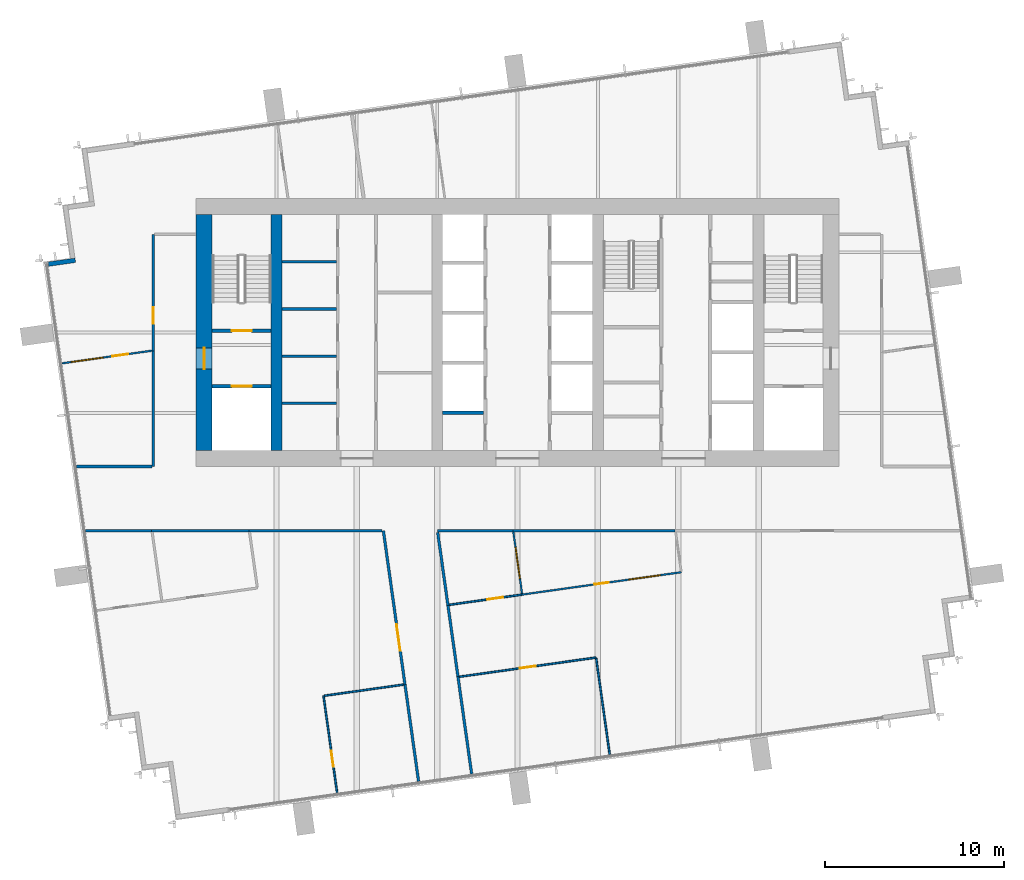
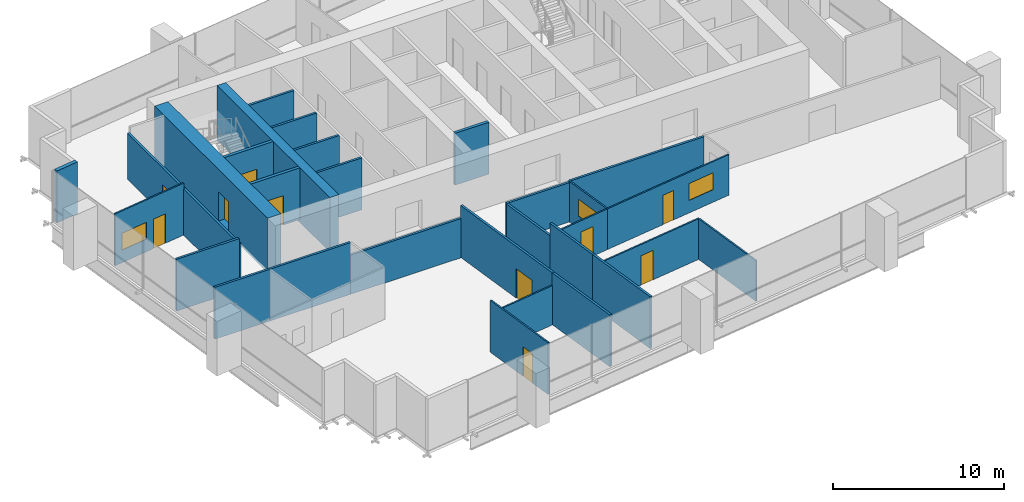
# One storey, part 8 of 12: 31 walls, 10 doors, 3 windows, 13 openings.
"""IFC4 building model written with IfcOpenShell, lengths in metres."""

from ifc_helpers import new_model, si_unit, direction, frame, frame_2d, origin, place, context, subcontext, project, spatial, rectangle, extrude, material, layer, layer_set, type_object, element, fill, save


model = new_model("IFC4")

# Units and contexts
model_context = context("Model", 3, precision=1e-05, world=origin(), true_north=direction((0.0, 1.0)))
body_context = subcontext(model_context, "Body", "Model", "MODEL_VIEW")
ifc_project = project(units=[si_unit("LENGTHUNIT", "METRE"), si_unit("AREAUNIT", "SQUARE_METRE"), si_unit("VOLUMEUNIT", "CUBIC_METRE"), si_unit("PLANEANGLEUNIT", "RADIAN"), si_unit("MASSUNIT", "GRAM", prefix="KILO")], contexts=[model_context])

# Site, building, storey
site_placement = place(None, origin())
site = spatial("IfcSite", under=ifc_project, at=site_placement, CompositionType="ELEMENT")
building_placement = place(site_placement, origin())
building = spatial("IfcBuilding", under=site, at=building_placement, Name="Rattan Terrace Tower", CompositionType="ELEMENT")
storey_placement = place(building_placement, frame((0.0, 0.0, 259.0)))
storey = spatial("IfcBuildingStorey", under=building, at=storey_placement, Name="L59", CompositionType="ELEMENT", Elevation=259.0)

# Walls
ifc_material_1 = material(Name="Gypsum board partition")
ifc_layer_1 = layer(ifc_material_1, 0.14990234375)
ifc_layer_set_1 = layer_set([ifc_layer_1], Name="Core partition 150")
wall_type_1 = type_object("IfcWallType", Name="Core partition 150", PredefinedType="PARTITIONING", material=ifc_layer_set_1)
for number, where, z_axis, x_axis, name in (
    (1, (-13.199951171875, -3.9599609375, 0.0), (0.0, 0.0, 1.0), (1.0, 0.0, 0.0), "Core room wall"),
    (2, (-13.199951171875, -1.320068359375, 0.0), (0.0, 0.0, 1.0), (1.0, 0.0, 0.0), "Core room wall"),
    (3, (-13.199951171875, 1.320068359375, 0.0), (0.0, 0.0, 1.0), (1.0, 0.0, 0.0), "Core room wall"),
    (4, (-13.199951171875, 3.9599609375, 0.0), (0.0, 0.0, 1.0), (1.0, 0.0, 0.0), "Core room wall"),
):
    element("IfcWall", number, at=place(storey_placement, frame(where, z_axis=z_axis, x_axis=x_axis)), inside=storey, type_object=wall_type_1, Name=name, PredefinedType="PARTITIONING", context=body_context, shape_type="SweptSolid", body=[
        extrude(rectangle(XDim=3.050048828125, YDim=0.14990234375, at=frame_2d((1.52490234375, 0.0))), origin(), (0.0, 0.0, 1.0), 3.699951171875),
    ])

# Wall, opening, door
ifc_material_2 = material(Name="Gypsum board partition")
ifc_layer_2 = layer(ifc_material_2, 0.199951171875)
ifc_layer_set_2 = layer_set([ifc_layer_2], Name="Core partition 200")
wall_type_2 = type_object("IfcWallType", Name="Core partition 200", PredefinedType="PARTITIONING", material=ifc_layer_set_2)
wall_1_placement = place(storey_placement, frame((-17.10009765625, -3.0, 0.0), z_axis=(0.0, 0.0, 1.0), x_axis=(1.0, 0.0, 0.0)))
wall_1 = element("IfcWall", 5, at=wall_1_placement, inside=storey, type_object=wall_type_2, Name="Fire-fighting lobby wall", PredefinedType="PARTITIONING", context=body_context, shape_type="SweptSolid", body=[
    extrude(rectangle(XDim=3.300048828125, YDim=0.199951171875, at=frame_2d((1.64990234375, 0.0))), origin(), (0.0, 0.0, 1.0), 3.699951171875),
])
opening_1_placement = place(wall_1_placement, frame((1.10009765625, 0.0, 0.0)))
opening_1 = element("IfcOpeningElement", 6, at=opening_1_placement, cuts=wall_1, Name="Opening L59-LD-FF1", PredefinedType="OPENING", context=body_context, shape_type="SweptSolid", body=[
    extrude(rectangle(XDim=1.10009765625, YDim=2.10009765625, at=frame_2d((0.550048828125, 1.050048828125))), frame((0.0, 0.110595703125, 0.0), z_axis=(0.0, -1.0, 0.0), x_axis=(1.0, 0.0, 0.0)), (0.0, 0.0, 1.0), 0.220947265625),
])
ifc_material_3 = material(Name="Brushed stainless landing door panel")
door_type_1 = type_object("IfcDoorType", Name="Core lift landing door 1100", OperationType="DOUBLE_DOOR_SLIDING", PredefinedType="DOOR", material=ifc_material_3)
door_1_placement = place(opening_1_placement, origin())
door_1 = element("IfcDoor", 7, at=door_1_placement, inside=storey, type_object=door_type_1, Name="Door L59-LD-FF1", OperationType="DOUBLE_DOOR_SLIDING", OverallHeight=2.10009765625, OverallWidth=1.10009765625, PredefinedType="DOOR", context=body_context, shape_type="SweptSolid", body=[
    extrude(rectangle(XDim=1.10009765625, YDim=2.10009765625, at=frame_2d((0.550048828125, 1.050048828125))), frame((0.0, 0.02490234375, 0.0), z_axis=(0.0, -1.0, 0.0), x_axis=(1.0, 0.0, 0.0)), (0.0, 0.0, 1.0), 0.050048828125),
])
fill(opening_1, door_1)

wall_2_placement = place(storey_placement, frame((-17.10009765625, 0.10009765625, 0.0), z_axis=(0.0, 0.0, 1.0), x_axis=(1.0, 0.0, 0.0)))
wall_2 = element("IfcWall", 8, at=wall_2_placement, inside=storey, type_object=wall_type_2, Name="Stair enclosure wall", PredefinedType="PARTITIONING", context=body_context, shape_type="SweptSolid", body=[
    extrude(rectangle(XDim=3.300048828125, YDim=0.199951171875, at=frame_2d((1.64990234375, 0.0))), origin(), (0.0, 0.0, 1.0), 3.699951171875),
])
opening_2_placement = place(wall_2_placement, frame((1.10009765625, 0.0, 0.0)))
opening_2 = element("IfcOpeningElement", 9, at=opening_2_placement, cuts=wall_2, Name="Opening L59-D002", PredefinedType="OPENING", context=body_context, shape_type="SweptSolid", body=[
    extrude(rectangle(XDim=1.10009765625, YDim=2.10009765625, at=frame_2d((0.550048828125, 1.050048828125))), frame((0.0, 0.110595703125, 0.0), z_axis=(0.0, -1.0, 0.0), x_axis=(1.0, 0.0, 0.0)), (0.0, 0.0, 1.0), 0.220947265625),
])
ifc_material_4 = material(Name="Hollow-metal fire door leaf")
door_type_2 = type_object("IfcDoorType", Name="Core stair door 1100", OperationType="NOTDEFINED", PredefinedType="DOOR", material=ifc_material_4)
door_2_placement = place(opening_2_placement, origin())
door_2 = element("IfcDoor", 10, at=door_2_placement, inside=storey, type_object=door_type_2, Name="Door L59-D002", OperationType="SINGLE_SWING_RIGHT", OverallHeight=2.10009765625, OverallWidth=1.10009765625, PredefinedType="DOOR", context=body_context, shape_type="SweptSolid", body=[
    extrude(rectangle(XDim=1.10009765625, YDim=2.10009765625, at=frame_2d((0.550048828125, 1.050048828125))), frame((0.0, 0.02490234375, 0.0), z_axis=(0.0, -1.0, 0.0), x_axis=(1.0, 0.0, 0.0)), (0.0, 0.0, 1.0), 0.050048828125),
])
fill(opening_2, door_2)

ifc_material_5 = material(Name="Concrete C50/60", Category="concrete")
ifc_layer_3 = layer(ifc_material_5, 0.89990234375)
ifc_layer_set_3 = layer_set([ifc_layer_3], Name="Core ring wall 900 C50/60")
wall_type_3 = type_object("IfcWallType", Name="Core ring wall 900 C50/60", PredefinedType="SHEAR", material=ifc_layer_set_3)
wall_3_placement = place(storey_placement, frame((-17.550048828125, -6.60009765625, -0.199951171875), z_axis=(0.0, 0.0, 1.0), x_axis=(0.0, 1.0, 0.0)))
wall_3 = element("IfcWall", 11, at=wall_3_placement, inside=storey, type_object=wall_type_3, Name="Rear core wall west", PredefinedType="SHEAR", context=body_context, shape_type="SweptSolid", body=[
    extrude(rectangle(XDim=13.2001953125, YDim=0.89990234375, at=frame_2d((6.60009765625, 0.0))), origin(), (0.0, 0.0, 1.0), 3.89990234375),
])
opening_3_placement = place(wall_3_placement, frame((4.550048828125, 0.0, 0.199951171875)))
opening_3 = element("IfcOpeningElement", 12, at=opening_3_placement, cuts=wall_3, Name="Opening L59-D001", PredefinedType="OPENING", context=body_context, shape_type="SweptSolid", body=[
    extrude(rectangle(XDim=1.199951171875, YDim=2.10009765625, at=frame_2d((0.60009765625, 1.050048828125))), frame((0.0, 0.46044921875, 0.0), z_axis=(0.0, -1.0, 0.0), x_axis=(1.0, 0.0, 0.0)), (0.0, 0.0, 1.0), 0.9208984375),
])
ifc_material_6 = material(Name="Hollow-metal fire door leaf")
door_type_3 = type_object("IfcDoorType", Name="Core fire-fighting lobby door 1200", OperationType="NOTDEFINED", PredefinedType="DOOR", material=ifc_material_6)
door_3_placement = place(opening_3_placement, origin())
door_3 = element("IfcDoor", 13, at=door_3_placement, inside=storey, type_object=door_type_3, Name="Door L59-D001", OperationType="SINGLE_SWING_LEFT", OverallHeight=2.10009765625, OverallWidth=1.199951171875, PredefinedType="DOOR", context=body_context, shape_type="SweptSolid", body=[
    extrude(rectangle(XDim=1.199951171875, YDim=2.10009765625, at=frame_2d((0.60009765625, 1.050048828125))), frame((0.0, 0.02490234375, 0.0), z_axis=(0.0, -1.0, 0.0), x_axis=(1.0, 0.0, 0.0)), (0.0, 0.0, 1.0), 0.050048828125),
])
fill(opening_3, door_3)

# Walls
ifc_material_7 = material(Name="Concrete C50/60", Category="concrete")
ifc_layer_4 = layer(ifc_material_7, 0.60009765625)
ifc_layer_set_4 = layer_set([ifc_layer_4], Name="Core spine wall 600 C50/60")
wall_type_4 = type_object("IfcWallType", Name="Core spine wall 600 C50/60", PredefinedType="SHEAR", material=ifc_layer_set_4)
wall_4_placement = place(storey_placement, frame((-13.5, -6.60009765625, -0.199951171875), z_axis=(0.0, 0.0, 1.0), x_axis=(0.0, 1.0, 0.0)))
element("IfcWall", 14, at=wall_4_placement, inside=storey, type_object=wall_type_4, Name="Core spine wall 1", PredefinedType="SHEAR", context=body_context, shape_type="SweptSolid", body=[
    extrude(rectangle(XDim=13.2001953125, YDim=0.60009765625, at=frame_2d((6.60009765625, 0.0))), origin(), (0.0, 0.0, 1.0), 3.89990234375),
])
ifc_material_8 = material(Name="Insulated aluminium-clad stud wall", Category="aluminium")
ifc_layer_5 = layer(ifc_material_8, 0.25)
ifc_layer_set_5 = layer_set([ifc_layer_5], Name="Facade Riser Wall 250")
wall_type_5 = type_object("IfcWallType", Name="Facade Riser Wall 250", PredefinedType="SOLIDWALL", material=ifc_layer_set_5)
wall_5_placement = place(storey_placement, frame((-24.769287109375, 4.045654296875, 0.0), z_axis=(0.0, 0.0, 1.0), x_axis=(-0.990260716096, -0.139225407725, 0.0)))
element("IfcWall", 15, at=wall_5_placement, inside=storey, type_object=wall_type_5, Name="Riser wall L59-15", PredefinedType="SOLIDWALL", context=body_context, shape_type="SweptSolid", body=[
    extrude(rectangle(XDim=1.525634765625, YDim=0.25, at=frame_2d((0.7626953125, 0.0))), origin(), (0.0, 0.0, 1.0), 3.699951171875),
])

# Wall, opening, door
ifc_material_9 = material(Name="Gypsum board partition on steel studs", Category="steel")
ifc_layer_6 = layer(ifc_material_9, 0.10009765625)
ifc_layer_set_6 = layer_set([ifc_layer_6], Name="Floors Partition 100")
wall_type_6 = type_object("IfcWallType", Name="Floors Partition 100", PredefinedType="PARTITIONING", material=ifc_layer_set_6)
wall_6_placement = place(storey_placement, frame((-10.868896484375, -20.346923828125, 0.0), z_axis=(0.0, 0.0, 1.0), x_axis=(0.139213194633, -0.990262433116, 0.0)))
wall_6 = element("IfcWall", 16, at=wall_6_placement, inside=storey, type_object=wall_type_6, Name="pt-L59-020", PredefinedType="PARTITIONING", context=body_context, shape_type="SweptSolid", body=[
    extrude(rectangle(XDim=5.48046875, YDim=0.10009765625, at=frame_2d((2.740234375, 0.0))), origin(), (0.0, 0.0, 1.0), 3.699951171875),
])
opening_4_placement = place(wall_6_placement, frame((3.10595703125, 0.0, 0.0)))
opening_4 = element("IfcOpeningElement", 17, at=opening_4_placement, cuts=wall_6, Name="Opening L59-D101", PredefinedType="OPENING", context=body_context, shape_type="SweptSolid", body=[
    extrude(rectangle(XDim=0.89990234375, YDim=2.10009765625, at=frame_2d((0.449951171875, 1.050048828125))), frame((0.0, 0.060546875, 0.0), z_axis=(0.0, -1.0, 0.0), x_axis=(1.0, 0.0, 0.0)), (0.0, 0.0, 1.0), 0.12109375),
])
ifc_material_10 = material(Name="Solid core timber door, painted", Category="wood")
door_type_4 = type_object("IfcDoorType", Name="Floors Door 900x2100", OperationType="NOTDEFINED", PredefinedType="DOOR", material=ifc_material_10)
door_4_placement = place(opening_4_placement, origin())
door_4 = element("IfcDoor", 18, at=door_4_placement, inside=storey, type_object=door_type_4, Name="d-L59-101", OperationType="SINGLE_SWING_RIGHT", OverallHeight=2.10009765625, OverallWidth=0.89990234375, PredefinedType="DOOR", context=body_context, shape_type="SweptSolid", body=[
    extrude(rectangle(XDim=0.89990234375, YDim=2.10009765625, at=frame_2d((0.449951171875, 1.050048828125))), frame((0.0, 0.02490234375, 0.0), z_axis=(0.0, -1.0, 0.0), x_axis=(1.0, 0.0, 0.0)), (0.0, 0.0, 1.0), 0.050048828125),
])
fill(opening_4, door_4)

# Wall
wall_7_placement = place(storey_placement, frame((-6.3798828125, -19.716064453125, 0.0), z_axis=(0.0, 0.0, 1.0), x_axis=(-0.990263970159, -0.139202260778, 0.0)))
element("IfcWall", 19, at=wall_7_placement, inside=storey, type_object=wall_type_6, Name="pt-L59-021", PredefinedType="PARTITIONING", context=body_context, shape_type="SweptSolid", body=[
    extrude(rectangle(XDim=4.48291015625, YDim=0.10009765625, at=frame_2d((2.241455078125, 0.0))), origin(), (0.0, 0.0, 1.0), 2.800048828125),
])

# Wall, opening, door
wall_8_placement = place(storey_placement, frame((4.39794921875, -18.201904296875, 0.0), z_axis=(0.0, 0.0, 1.0), x_axis=(-0.990252156894, -0.139286272714, 0.0)))
wall_8 = element("IfcWall", 20, at=wall_8_placement, inside=storey, type_object=wall_type_6, Name="pt-L59-026", PredefinedType="PARTITIONING", context=body_context, shape_type="SweptSolid", body=[
    extrude(rectangle(XDim=7.7333984375, YDim=0.10009765625, at=frame_2d((3.86669921875, 0.0))), origin(), (0.0, 0.0, 1.0), 2.89990234375),
])
opening_5_placement = place(wall_8_placement, frame((3.4169921875, 0.0, 0.0)))
opening_5 = element("IfcOpeningElement", 21, at=opening_5_placement, cuts=wall_8, Name="Opening L59-D105", PredefinedType="OPENING", context=body_context, shape_type="SweptSolid", body=[
    extrude(rectangle(XDim=0.89990234375, YDim=2.10009765625, at=frame_2d((0.449951171875, 1.050048828125))), frame((0.0, 0.060546875, 0.0), z_axis=(0.0, -1.0, 0.0), x_axis=(1.0, 0.0, 0.0)), (0.0, 0.0, 1.0), 0.12109375),
])
door_5_placement = place(opening_5_placement, origin())
door_5 = element("IfcDoor", 22, at=door_5_placement, inside=storey, type_object=door_type_4, Name="d-L59-105", OperationType="SINGLE_SWING_RIGHT", OverallHeight=2.10009765625, OverallWidth=0.89990234375, PredefinedType="DOOR", context=body_context, shape_type="SweptSolid", body=[
    extrude(rectangle(XDim=0.89990234375, YDim=2.10009765625, at=frame_2d((0.449951171875, 1.050048828125))), frame((0.0, 0.02490234375, 0.0), z_axis=(0.0, -1.0, 0.0), x_axis=(1.0, 0.0, 0.0)), (0.0, 0.0, 1.0), 0.050048828125),
])
fill(opening_5, door_5)

# Wall
wall_9_placement = place(storey_placement, frame((5.160888671875, -23.6279296875, 0.0), z_axis=(0.0, 0.0, 1.0), x_axis=(-0.139205228836, 0.990263552932, 0.0)))
element("IfcWall", 23, at=wall_9_placement, inside=storey, type_object=wall_type_6, Name="pt-L59-027", PredefinedType="PARTITIONING", context=body_context, shape_type="SweptSolid", body=[
    extrude(rectangle(XDim=5.429931640625, YDim=0.10009765625, at=frame_2d((2.71484375, 0.0))), origin(), (0.0, 0.0, 1.0), 2.89990234375),
])

# Wall, opening, door
wall_10_placement = place(storey_placement, frame((-3.825927734375, -15.248046875, 0.0), z_axis=(0.0, 0.0, 1.0), x_axis=(0.990304461309, 0.138913908276, 0.0)))
wall_10 = element("IfcWall", 24, at=wall_10_placement, inside=storey, type_object=wall_type_6, Name="pt-L59-028", PredefinedType="PARTITIONING", context=body_context, shape_type="SweptSolid", body=[
    extrude(rectangle(XDim=4.103759765625, YDim=0.10009765625, at=frame_2d((2.0517578125, 0.0))), origin(), (0.0, 0.0, 1.0), 2.89990234375),
])
opening_6_placement = place(wall_10_placement, frame((2.14306640625, 0.0, 0.0)))
opening_6 = element("IfcOpeningElement", 25, at=opening_6_placement, cuts=wall_10, Name="Opening L59-D106", PredefinedType="OPENING", context=body_context, shape_type="SweptSolid", body=[
    extrude(rectangle(XDim=0.89990234375, YDim=2.10009765625, at=frame_2d((0.449951171875, 1.050048828125))), frame((0.0, 0.060546875, 0.0), z_axis=(0.0, -1.0, 0.0), x_axis=(1.0, 0.0, 0.0)), (0.0, 0.0, 1.0), 0.12109375),
])
door_6_placement = place(opening_6_placement, origin())
door_6 = element("IfcDoor", 26, at=door_6_placement, inside=storey, type_object=door_type_4, Name="d-L59-106", OperationType="SINGLE_SWING_RIGHT", OverallHeight=2.10009765625, OverallWidth=0.89990234375, PredefinedType="DOOR", context=body_context, shape_type="SweptSolid", body=[
    extrude(rectangle(XDim=0.89990234375, YDim=2.10009765625, at=frame_2d((0.449951171875, 1.050048828125))), frame((0.0, 0.02490234375, 0.0), z_axis=(0.0, -1.0, 0.0), x_axis=(1.0, 0.0, 0.0)), (0.0, 0.0, 1.0), 0.050048828125),
])
fill(opening_6, door_6)

# Wall, openings, door, window
wall_11_placement = place(storey_placement, frame((0.238037109375, -14.677978515625, 0.0), z_axis=(0.0, 0.0, 1.0), x_axis=(0.990261534953, 0.139219583367, 0.0)))
wall_11 = element("IfcWall", 27, at=wall_11_placement, inside=storey, type_object=wall_type_6, Name="pt-L59-029", PredefinedType="PARTITIONING", context=body_context, shape_type="SweptSolid", body=[
    extrude(rectangle(XDim=9.020751953125, YDim=0.10009765625, at=frame_2d((4.51025390625, 0.0))), origin(), (0.0, 0.0, 1.0), 2.89990234375),
])
opening_7_placement = place(wall_11_placement, frame((4.110107421875, 0.0, 0.0)))
opening_7 = element("IfcOpeningElement", 28, at=opening_7_placement, cuts=wall_11, Name="Opening L59-D107", PredefinedType="OPENING", context=body_context, shape_type="SweptSolid", body=[
    extrude(rectangle(XDim=0.800048828125, YDim=2.10009765625, at=frame_2d((0.39990234375, 1.050048828125))), frame((0.0, 0.060546875, 0.0), z_axis=(0.0, -1.0, 0.0), x_axis=(1.0, 0.0, 0.0)), (0.0, 0.0, 1.0), 0.12109375),
])
opening_8_placement = place(wall_11_placement, frame((6.041015625, 0.0, 0.89990234375)))
opening_8 = element("IfcOpeningElement", 29, at=opening_8_placement, cuts=wall_11, Name="Opening L59-W101", PredefinedType="OPENING", context=body_context, shape_type="SweptSolid", body=[
    extrude(rectangle(XDim=1.800048828125, YDim=1.199951171875, at=frame_2d((0.89990234375, 0.60009765625))), frame((0.0, 0.060546875, 0.0), z_axis=(0.0, -1.0, 0.0), x_axis=(1.0, 0.0, 0.0)), (0.0, 0.0, 1.0), 0.12109375),
])
ifc_material_11 = material(Name="Solid core timber door, painted", Category="wood")
door_type_5 = type_object("IfcDoorType", Name="Floors Store Door 800x2100", OperationType="NOTDEFINED", PredefinedType="DOOR", material=ifc_material_11)
door_7_placement = place(opening_7_placement, origin())
door_7 = element("IfcDoor", 30, at=door_7_placement, inside=storey, type_object=door_type_5, Name="d-L59-107", OperationType="SINGLE_SWING_RIGHT", OverallHeight=2.10009765625, OverallWidth=0.800048828125, PredefinedType="DOOR", context=body_context, shape_type="SweptSolid", body=[
    extrude(rectangle(XDim=0.800048828125, YDim=2.10009765625, at=frame_2d((0.39990234375, 1.050048828125))), frame((0.0, 0.02490234375, 0.0), z_axis=(0.0, -1.0, 0.0), x_axis=(1.0, 0.0, 0.0)), (0.0, 0.0, 1.0), 0.050048828125),
])
fill(opening_7, door_7)
ifc_material_12 = material(Name="Glass, clear, fixed in aluminium frame", Category="aluminium")
window_type = type_object("IfcWindowType", Name="Interior Vision Window 1800x1200", PartitioningType="SINGLE_PANEL", PredefinedType="WINDOW", material=ifc_material_12)
window_1_placement = place(opening_8_placement, origin())
window_1 = element("IfcWindow", 31, at=window_1_placement, inside=storey, type_object=window_type, Name="w-L59-101", OverallHeight=1.199951171875, OverallWidth=1.800048828125, PartitioningType="SINGLE_PANEL", PredefinedType="WINDOW", context=body_context, shape_type="SweptSolid", body=[
    extrude(rectangle(XDim=1.800048828125, YDim=1.199951171875, at=frame_2d((0.89990234375, 0.60009765625))), frame((0.0, 0.030029296875, 0.0), z_axis=(0.0, -1.0, 0.0), x_axis=(1.0, 0.0, 0.0)), (0.0, 0.0, 1.0), 0.06005859375),
])
fill(opening_8, window_1)

# Wall, opening, window
wall_12_placement = place(storey_placement, frame((-0.23388671875, -11.16796875, 0.0), z_axis=(0.0, 0.0, 1.0), x_axis=(0.138894773338, -0.990307145253, 0.0)))
wall_12 = element("IfcWall", 32, at=wall_12_placement, inside=storey, type_object=wall_type_6, Name="pt-L59-031", PredefinedType="PARTITIONING", context=body_context, shape_type="SweptSolid", body=[
    extrude(rectangle(XDim=3.490966796875, YDim=0.10009765625, at=frame_2d((1.74560546875, 0.0))), origin(), (0.0, 0.0, 1.0), 2.89990234375),
])
opening_9_placement = place(wall_12_placement, frame((0.85400390625, 0.0, 0.89990234375)))
opening_9 = element("IfcOpeningElement", 33, at=opening_9_placement, cuts=wall_12, Name="Opening L59-W103", PredefinedType="OPENING", context=body_context, shape_type="SweptSolid", body=[
    extrude(rectangle(XDim=1.800048828125, YDim=1.199951171875, at=frame_2d((0.89990234375, 0.60009765625))), frame((0.0, 0.060546875, 0.0), z_axis=(0.0, -1.0, 0.0), x_axis=(1.0, 0.0, 0.0)), (0.0, 0.0, 1.0), 0.12109375),
])
window_2_placement = place(opening_9_placement, origin())
window_2 = element("IfcWindow", 34, at=window_2_placement, inside=storey, type_object=window_type, Name="w-L59-103", OverallHeight=1.199951171875, OverallWidth=1.800048828125, PartitioningType="SINGLE_PANEL", PredefinedType="WINDOW", context=body_context, shape_type="SweptSolid", body=[
    extrude(rectangle(XDim=1.800048828125, YDim=1.199951171875, at=frame_2d((0.89990234375, 0.60009765625))), frame((0.0, 0.030029296875, 0.0), z_axis=(0.0, -1.0, 0.0), x_axis=(1.0, 0.0, 0.0)), (0.0, 0.0, 1.0), 0.06005859375),
])
fill(opening_9, window_2)

# Wall, openings, door, window
wall_13_placement = place(storey_placement, frame((-20.468017578125, -1.013916015625, 0.0), z_axis=(0.0, 0.0, 1.0), x_axis=(-0.990280538481, -0.139084345292, 0.0)))
wall_13 = element("IfcWall", 35, at=wall_13_placement, inside=storey, type_object=wall_type_6, Name="pt-L59-032", PredefinedType="PARTITIONING", context=body_context, shape_type="SweptSolid", body=[
    extrude(rectangle(XDim=5.090576171875, YDim=0.10009765625, at=frame_2d((2.54541015625, 0.0))), origin(), (0.0, 0.0, 1.0), 3.699951171875),
])
opening_10_placement = place(wall_13_placement, frame((1.35693359375, 0.0, 0.0)))
opening_10 = element("IfcOpeningElement", 36, at=opening_10_placement, cuts=wall_13, Name="Opening L59-D109", PredefinedType="OPENING", context=body_context, shape_type="SweptSolid", body=[
    extrude(rectangle(XDim=0.89990234375, YDim=2.10009765625, at=frame_2d((0.449951171875, 1.050048828125))), frame((0.0, 0.060546875, 0.0), z_axis=(0.0, -1.0, 0.0), x_axis=(1.0, 0.0, 0.0)), (0.0, 0.0, 1.0), 0.12109375),
])
opening_11_placement = place(wall_13_placement, frame((2.77392578125, 0.0, 0.89990234375)))
opening_11 = element("IfcOpeningElement", 37, at=opening_11_placement, cuts=wall_13, Name="Opening L59-W104", PredefinedType="OPENING", context=body_context, shape_type="SweptSolid", body=[
    extrude(rectangle(XDim=1.800048828125, YDim=1.199951171875, at=frame_2d((0.89990234375, 0.60009765625))), frame((0.0, 0.060546875, 0.0), z_axis=(0.0, -1.0, 0.0), x_axis=(1.0, 0.0, 0.0)), (0.0, 0.0, 1.0), 0.12109375),
])
door_8_placement = place(opening_10_placement, origin())
door_8 = element("IfcDoor", 38, at=door_8_placement, inside=storey, type_object=door_type_4, Name="d-L59-109", OperationType="SINGLE_SWING_LEFT", OverallHeight=2.10009765625, OverallWidth=0.89990234375, PredefinedType="DOOR", context=body_context, shape_type="SweptSolid", body=[
    extrude(rectangle(XDim=0.89990234375, YDim=2.10009765625, at=frame_2d((0.449951171875, 1.050048828125))), frame((0.0, 0.02490234375, 0.0), z_axis=(0.0, -1.0, 0.0), x_axis=(1.0, 0.0, 0.0)), (0.0, 0.0, 1.0), 0.050048828125),
])
fill(opening_10, door_8)
window_3_placement = place(opening_11_placement, origin())
window_3 = element("IfcWindow", 39, at=window_3_placement, inside=storey, type_object=window_type, Name="w-L59-104", OverallHeight=1.199951171875, OverallWidth=1.800048828125, PartitioningType="SINGLE_PANEL", PredefinedType="WINDOW", context=body_context, shape_type="SweptSolid", body=[
    extrude(rectangle(XDim=1.800048828125, YDim=1.199951171875, at=frame_2d((0.89990234375, 0.60009765625))), frame((0.0, 0.030029296875, 0.0), z_axis=(0.0, -1.0, 0.0), x_axis=(1.0, 0.0, 0.0)), (0.0, 0.0, 1.0), 0.06005859375),
])
fill(opening_11, window_3)

# Wall
ifc_material_13 = material(Name="Gypsum board partition on steel studs, fire rated", Category="steel")
ifc_layer_7 = layer(ifc_material_13, 0.14990234375)
ifc_layer_set_7 = layer_set([ifc_layer_7], Name="Floors Tenancy Wall 150")
wall_type_7 = type_object("IfcWallType", Name="Floors Tenancy Wall 150", PredefinedType="PARTITIONING", material=ifc_layer_set_7)
wall_14_placement = place(storey_placement, frame((-7.589111328125, -11.10009765625, 0.0), z_axis=(0.0, 0.0, 1.0), x_axis=(-1.0, 0.0, 0.0)))
element("IfcWall", 40, at=wall_14_placement, inside=storey, type_object=wall_type_7, Name="pt-L59-001", PredefinedType="PARTITIONING", context=body_context, shape_type="SweptSolid", body=[
    extrude(rectangle(XDim=7.452880859375, YDim=0.14990234375, at=frame_2d((3.7265625, 0.0))), origin(), (0.0, 0.0, 1.0), 2.800048828125),
])

# Wall, opening, door
wall_15_placement = place(storey_placement, frame((-6.302978515625, -19.72607421875, 0.0), z_axis=(0.0, 0.0, 1.0), x_axis=(-0.139129433731, 0.990274204789, 0.0)))
wall_15 = element("IfcWall", 41, at=wall_15_placement, inside=storey, type_object=wall_type_7, Name="pt-L59-002", PredefinedType="PARTITIONING", context=body_context, shape_type="SweptSolid", body=[
    extrude(rectangle(XDim=8.710693359375, YDim=0.14990234375, at=frame_2d((4.35546875, 0.0))), origin(), (0.0, 0.0, 1.0), 3.699951171875),
])
opening_12_placement = place(wall_15_placement, frame((1.927978515625, 0.0, 0.0)))
opening_12 = element("IfcOpeningElement", 42, at=opening_12_placement, cuts=wall_15, Name="Opening L59-D100", PredefinedType="OPENING", context=body_context, shape_type="SweptSolid", body=[
    extrude(rectangle(XDim=1.5, YDim=2.10009765625, at=frame_2d((0.75, 1.050048828125))), frame((0.0, 0.08544921875, 0.0), z_axis=(0.0, -1.0, 0.0), x_axis=(1.0, 0.0, 0.0)), (0.0, 0.0, 1.0), 0.1708984375),
])
ifc_material_14 = material(Name="Steel fire door set", Category="steel")
door_type_6 = type_object("IfcDoorType", Name="Floors Unit Door Pair FD30S 1500x2100", OperationType="NOTDEFINED", PredefinedType="DOOR", material=ifc_material_14)
door_9_placement = place(opening_12_placement, origin())
door_9 = element("IfcDoor", 43, at=door_9_placement, inside=storey, type_object=door_type_6, Name="d-L59-100", OperationType="DOUBLE_DOOR_SINGLE_SWING", OverallHeight=2.10009765625, OverallWidth=1.5, PredefinedType="DOOR", context=body_context, shape_type="SweptSolid", body=[
    extrude(rectangle(XDim=1.5, YDim=2.10009765625, at=frame_2d((0.75, 1.050048828125))), frame((0.0, 0.02490234375, 0.0), z_axis=(0.0, -1.0, 0.0), x_axis=(1.0, 0.0, 0.0)), (0.0, 0.0, 1.0), 0.050048828125),
])
fill(opening_12, door_9)

# Walls
wall_16_placement = place(storey_placement, frame((-5.54296875, -25.133056640625, 0.0), z_axis=(0.0, 0.0, 1.0), x_axis=(-0.139192487281, 0.990265343978, 0.0)))
element("IfcWall", 44, at=wall_16_placement, inside=storey, type_object=wall_type_7, Name="pt-L59-003", PredefinedType="PARTITIONING", context=body_context, shape_type="SweptSolid", body=[
    extrude(rectangle(XDim=5.460205078125, YDim=0.14990234375, at=frame_2d((2.72998046875, 0.0))), origin(), (0.0, 0.0, 1.0), 3.699951171875),
])
wall_17_placement = place(storey_placement, frame((-20.4951171875, -11.10009765625, 0.0), z_axis=(0.0, 0.0, 1.0), x_axis=(-1.0, 0.0, 0.0)))
element("IfcWall", 45, at=wall_17_placement, inside=storey, type_object=wall_type_7, Name="pt-L59-004", PredefinedType="PARTITIONING", context=body_context, shape_type="SweptSolid", body=[
    extrude(rectangle(XDim=3.69482421875, YDim=0.14990234375, at=frame_2d((1.847412109375, 0.0))), origin(), (0.0, 0.0, 1.0), 3.699951171875),
])
wall_18_placement = place(storey_placement, frame((-15.0419921875, -11.10009765625, 0.0), z_axis=(0.0, 0.0, 1.0), x_axis=(-1.0, 0.0, 0.0)))
element("IfcWall", 46, at=wall_18_placement, inside=storey, type_object=wall_type_7, Name="pt-L59-005", PredefinedType="PARTITIONING", context=body_context, shape_type="SweptSolid", body=[
    extrude(rectangle(XDim=5.453125, YDim=0.14990234375, at=frame_2d((2.7265625, 0.0))), origin(), (0.0, 0.0, 1.0), 3.699951171875),
])
wall_19_placement = place(storey_placement, frame((-3.89794921875, -15.279052734375, 0.0), z_axis=(0.0, 0.0, 1.0), x_axis=(0.139240905476, -0.990258537071, 0.0)))
element("IfcWall", 47, at=wall_19_placement, inside=storey, type_object=wall_type_7, Name="pt-L59-006", PredefinedType="PARTITIONING", context=body_context, shape_type="SweptSolid", body=[
    extrude(rectangle(XDim=4.029296875, YDim=0.14990234375, at=frame_2d((2.0146484375, 0.0))), origin(), (0.0, 0.0, 1.0), 3.699951171875),
])
wall_20_placement = place(storey_placement, frame((-3.3369140625, -19.26904296875, 0.0), z_axis=(0.0, 0.0, 1.0), x_axis=(0.139059647431, -0.990284006968, 0.0)))
element("IfcWall", 48, at=wall_20_placement, inside=storey, type_object=wall_type_7, Name="pt-L59-008", PredefinedType="PARTITIONING", context=body_context, shape_type="SweptSolid", body=[
    extrude(rectangle(XDim=5.50048828125, YDim=0.14990234375, at=frame_2d((2.750244140625, 0.0))), origin(), (0.0, 0.0, 1.0), 3.699951171875),
])
wall_21_placement = place(storey_placement, frame((-4.472900390625, -11.18505859375, 0.0), z_axis=(0.0, 0.0, 1.0), x_axis=(0.1390729581, -0.990282137739, 0.0)))
element("IfcWall", 49, at=wall_21_placement, inside=storey, type_object=wall_type_7, Name="pt-L59-009", PredefinedType="PARTITIONING", context=body_context, shape_type="SweptSolid", body=[
    extrude(rectangle(XDim=4.13427734375, YDim=0.14990234375, at=frame_2d((2.067138671875, 0.0))), origin(), (0.0, 0.0, 1.0), 2.800048828125),
])
wall_22_placement = place(storey_placement, frame((-0.263916015625, -11.10009765625, 0.0), z_axis=(0.0, 0.0, 1.0), x_axis=(-1.0, 0.0, 0.0)))
element("IfcWall", 50, at=wall_22_placement, inside=storey, type_object=wall_type_7, Name="pt-L59-010", PredefinedType="PARTITIONING", context=body_context, shape_type="SweptSolid", body=[
    extrude(rectangle(XDim=4.22119140625, YDim=0.14990234375, at=frame_2d((2.110595703125, 0.0))), origin(), (0.0, 0.0, 1.0), 2.800048828125),
])
wall_23_placement = place(storey_placement, frame((8.823974609375, -11.10009765625, 0.0), z_axis=(0.0, 0.0, 1.0), x_axis=(-1.0, 0.0, 0.0)))
element("IfcWall", 51, at=wall_23_placement, inside=storey, type_object=wall_type_7, Name="pt-L59-011", PredefinedType="PARTITIONING", context=body_context, shape_type="SweptSolid", body=[
    extrude(rectangle(XDim=9.087890625, YDim=0.14990234375, at=frame_2d((4.5439453125, 0.0))), origin(), (0.0, 0.0, 1.0), 2.89990234375),
])

# Wall, opening, door
wall_24_placement = place(storey_placement, frame((-20.39990234375, -1.02392578125, 0.0), z_axis=(0.0, 0.0, 1.0), x_axis=(0.0, 1.0, 0.0)))
wall_24 = element("IfcWall", 52, at=wall_24_placement, inside=storey, type_object=wall_type_7, Name="pt-L59-012", PredefinedType="PARTITIONING", context=body_context, shape_type="SweptSolid", body=[
    extrude(rectangle(XDim=6.52392578125, YDim=0.14990234375, at=frame_2d((3.261962890625, 0.0))), origin(), (0.0, 0.0, 1.0), 3.300048828125),
])
opening_13_placement = place(wall_24_placement, frame((1.531005859375, 0.0, 0.0)))
opening_13 = element("IfcOpeningElement", 53, at=opening_13_placement, cuts=wall_24, Name="Opening L59-D108", PredefinedType="OPENING", context=body_context, shape_type="SweptSolid", body=[
    extrude(rectangle(XDim=0.89990234375, YDim=2.10009765625, at=frame_2d((0.449951171875, 1.050048828125))), frame((0.0, 0.08544921875, 0.0), z_axis=(0.0, -1.0, 0.0), x_axis=(1.0, 0.0, 0.0)), (0.0, 0.0, 1.0), 0.1708984375),
])
ifc_material_15 = material(Name="Steel fire door set", Category="steel")
door_type_7 = type_object("IfcDoorType", Name="Floors Fire Door FD30S 900x2100", OperationType="NOTDEFINED", PredefinedType="DOOR", material=ifc_material_15)
door_10_placement = place(opening_13_placement, origin())
door_10 = element("IfcDoor", 54, at=door_10_placement, inside=storey, type_object=door_type_7, Name="d-L59-108", OperationType="SINGLE_SWING_LEFT", OverallHeight=2.10009765625, OverallWidth=0.89990234375, PredefinedType="DOOR", context=body_context, shape_type="SweptSolid", body=[
    extrude(rectangle(XDim=0.89990234375, YDim=2.10009765625, at=frame_2d((0.449951171875, 1.050048828125))), frame((0.0, 0.02490234375, 0.0), z_axis=(0.0, -1.0, 0.0), x_axis=(1.0, 0.0, 0.0)), (0.0, 0.0, 1.0), 0.050048828125),
])
fill(opening_13, door_10)

# Walls
wall_25_placement = place(storey_placement, frame((-24.696044921875, -7.5, 0.0), z_axis=(0.0, 0.0, 1.0), x_axis=(1.0, 0.0, 0.0)))
element("IfcWall", 55, at=wall_25_placement, inside=storey, type_object=wall_type_7, Name="pt-L59-014", PredefinedType="PARTITIONING", context=body_context, shape_type="SweptSolid", body=[
    extrude(rectangle(XDim=4.220947265625, YDim=0.14990234375, at=frame_2d((2.1103515625, 0.0))), origin(), (0.0, 0.0, 1.0), 3.699951171875),
])
wall_26_placement = place(storey_placement, frame((-20.39990234375, -7.5, 0.0), z_axis=(0.0, 0.0, 1.0), x_axis=(0.0, 1.0, 0.0)))
element("IfcWall", 56, at=wall_26_placement, inside=storey, type_object=wall_type_7, Name="pt-L59-015", PredefinedType="PARTITIONING", context=body_context, shape_type="SweptSolid", body=[
    extrude(rectangle(XDim=6.47607421875, YDim=0.14990234375, at=frame_2d((3.238037109375, 0.0))), origin(), (0.0, 0.0, 1.0), 3.300048828125),
])
ifc_material_16 = material(Name="Gypsum shaft wall system")
ifc_layer_8 = layer(ifc_material_16, 0.199951171875)
ifc_layer_set_8 = layer_set([ifc_layer_8], Name="Lift shaft wall 200")
wall_type_8 = type_object("IfcWallType", Name="Lift shaft wall 200", PredefinedType="PARTITIONING", material=ifc_layer_set_8)
wall_27_placement = place(storey_placement, frame((-4.199951171875, -4.5, 0.0), z_axis=(0.0, 0.0, 1.0), x_axis=(1.0, 0.0, 0.0)))
element("IfcWall", 57, at=wall_27_placement, inside=storey, type_object=wall_type_8, Name="Lift shaft wall", PredefinedType="PARTITIONING", context=body_context, shape_type="SweptSolid", body=[
    extrude(rectangle(XDim=2.300048828125, YDim=0.199951171875, at=frame_2d((1.14990234375, 0.0))), origin(), (0.0, 0.0, 1.0), 3.699951171875),
])

save(model, "model.ifc")
